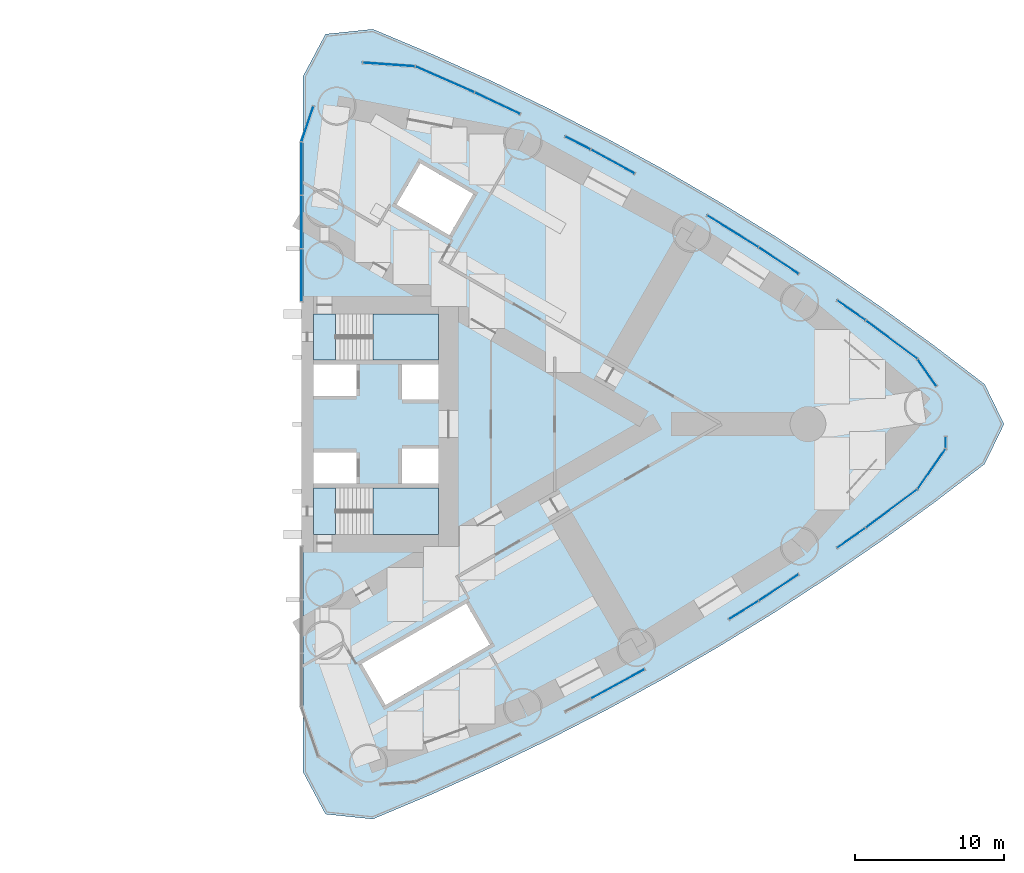
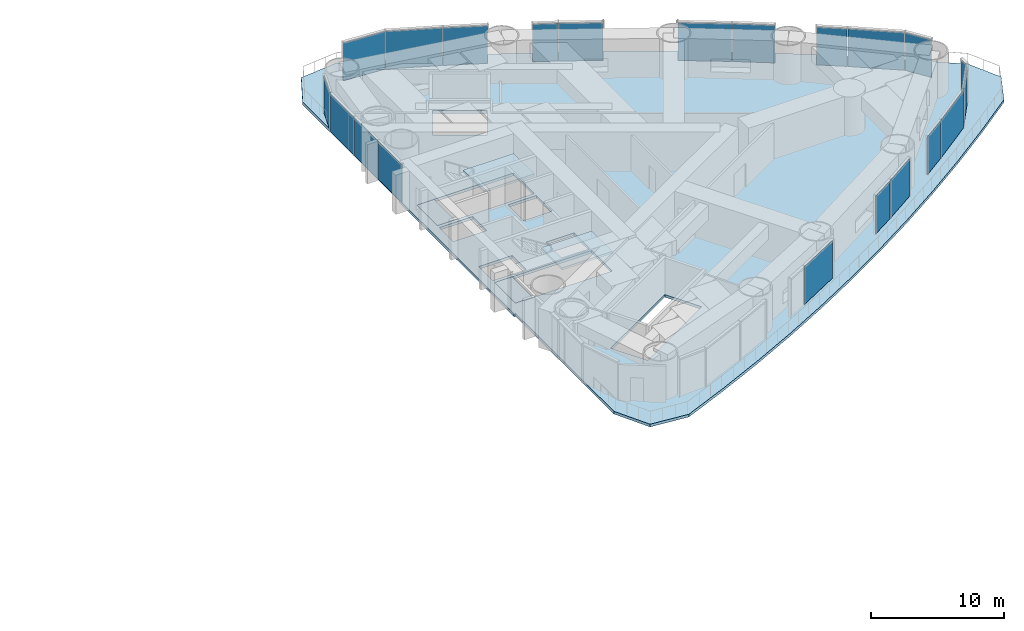
# One storey, part 12 of 19: 21 plates, 5 slabs, 10 elements without a shape of their own.
"""IFC4 building model written with IfcOpenShell, lengths in metres."""

import ifcopenshell
import ifcopenshell.guid

model = None  # the IFC model being written
_history = None  # IfcOwnerHistory: only IFC2X3 demands one
_inside = {}  # id of a spatial element -> (the spatial element, [elements in it])
_under = {}  # id of a project, library or spatial element -> (it, [spatial elements below it])
_declared = {}  # id of a project -> (the project, [libraries it declares])
_typed = {}  # id of a type object -> (the type object, [elements of that type])
_made_of = {}  # id of a material, layer set ... -> (it, [elements and type objects made of it])


def new_model(schema):
    """Start an empty IFC model of exactly this schema.

    Asked for "IFC4X3", IfcOpenShell would pick the latest addendum, in which some entities
    have other attributes; the version numbers below select the first issue.
    IFC2X3 requires an IfcOwnerHistory on every rooted entity: one is made here for all.
    """
    global model, _history
    if schema == "IFC4X3":
        model = ifcopenshell.file(schema_version=(4, 3, 0, 0))
    else:
        model = ifcopenshell.file(schema=schema)
    _inside.clear()
    _under.clear()
    _declared.clear()
    _typed.clear()
    _made_of.clear()
    _history = None
    if model.schema == "IFC2X3":
        org = make("IfcOrganization", Name="unknown")
        user = make(
            "IfcPersonAndOrganization",
            ThePerson=make("IfcPerson", FamilyName="unknown"),
            TheOrganization=org,
        )
        app = make(
            "IfcApplication",
            ApplicationDeveloper=org,
            Version="unknown",
            ApplicationFullName="unknown",
            ApplicationIdentifier="unknown",
        )
        _history = make(
            "IfcOwnerHistory",
            OwningUser=user,
            OwningApplication=app,
            ChangeAction="ADDED",
            CreationDate=0,
        )
    return model


def make(cls, **values):
    """One entity of the class cls with the attributes given. An attribute that is None is left unset."""
    return model.create_entity(
        cls, **{name: value for name, value in values.items() if value is not None}
    )


def rooted(cls, **values):
    """An entity with a GlobalId (a new one), such as an element, a storey or a relation."""
    return make(cls, GlobalId=ifcopenshell.guid.new(), OwnerHistory=_history, **values)


def si_unit(unit_type, name, prefix=None):
    """IfcSIUnit, for example si_unit("LENGTHUNIT", "METRE", prefix="MILLI")."""
    return make("IfcSIUnit", UnitType=unit_type, Prefix=prefix, Name=name)


def assignment(units):
    """IfcUnitAssignment: the units of a project."""
    return None if units is None else make("IfcUnitAssignment", Units=units)


def point(xyz):
    """IfcCartesianPoint."""
    return None if xyz is None else make("IfcCartesianPoint", Coordinates=xyz)


def direction(xyz):
    """IfcDirection."""
    return None if xyz is None else make("IfcDirection", DirectionRatios=xyz)


def frame(location, z_axis=None, x_axis=None):
    """IfcAxis2Placement3D, a coordinate frame: its origin and axes. An axis left out is left unset."""
    return make(
        "IfcAxis2Placement3D",
        Location=point(location),
        Axis=direction(z_axis),
        RefDirection=direction(x_axis),
    )


def frame_2d(location, x_axis=None):
    """IfcAxis2Placement2D, a coordinate frame in the plane: its origin and x axis."""
    return make(
        "IfcAxis2Placement2D", Location=point(location), RefDirection=direction(x_axis)
    )


def origin():
    """The frame at (0, 0, 0) with its axes left unset."""
    return frame((0.0, 0.0, 0.0))


def origin_2d():
    """The frame at (0, 0) in the plane with its x axis left unset."""
    return frame_2d((0.0, 0.0))


def place(relative_to, where):
    """IfcLocalPlacement: puts the frame where relative to a parent placement (None: the world)."""
    return make(
        "IfcLocalPlacement", PlacementRelTo=relative_to, RelativePlacement=where
    )


def context(
    kind, dimensions, precision=None, world=None, true_north=None, identifier=None
):
    """IfcGeometricRepresentationContext, for example the 3D "Model" context."""
    return make(
        "IfcGeometricRepresentationContext",
        ContextIdentifier=identifier,
        ContextType=kind,
        CoordinateSpaceDimension=dimensions,
        Precision=precision,
        WorldCoordinateSystem=world,
        TrueNorth=true_north,
    )


def subcontext(parent, identifier, kind, view, scale=None):
    """IfcGeometricRepresentationSubContext, for example "Body" below "Model"."""
    return make(
        "IfcGeometricRepresentationSubContext",
        ContextIdentifier=identifier,
        ContextType=kind,
        ParentContext=parent,
        TargetScale=scale,
        TargetView=view,
    )


def project(units=None, contexts=None):
    """IfcProject with its units and contexts."""
    return rooted(
        "IfcProject",
        Name="project",
        RepresentationContexts=contexts,
        UnitsInContext=assignment(units),
    )


def spatial(cls, under=None, at=None, **own):
    """A site, building, storey or space (cls), placed at a placement, below another one or the project."""
    s = rooted(cls, ObjectPlacement=at, **own)
    if under is not None:
        _under.setdefault(under.id(), (under, []))[1].append(s)
    return s


def polyline(points):
    """IfcPolyline through the points."""
    return make("IfcPolyline", Points=[point(p) for p in points])


def profile(cls, at=None, kind="AREA", **sizes):
    """A parametric profile (cls). Its sizes go by their IFC names, for example OverallWidth=200.0."""
    return make(cls, ProfileType=kind, Position=at, **sizes)


def rectangle(**sizes):
    """IfcRectangleProfileDef."""
    return profile("IfcRectangleProfileDef", **sizes)


def outline(outer, holes=None, kind="AREA"):
    """IfcArbitraryClosedProfileDef: a profile drawn as a closed curve; with holes, ...WithVoids."""
    if holes is None:
        return make("IfcArbitraryClosedProfileDef", ProfileType=kind, OuterCurve=outer)
    return make(
        "IfcArbitraryProfileDefWithVoids",
        ProfileType=kind,
        OuterCurve=outer,
        InnerCurves=holes,
    )


def extrude(swept, where, along, depth):
    """IfcExtrudedAreaSolid: the profile swept, set in the frame where, extruded along a direction by depth."""
    return make(
        "IfcExtrudedAreaSolid",
        SweptArea=swept,
        Position=where,
        ExtrudedDirection=direction(along),
        Depth=depth,
    )


def shape(context_of_items, identifier, shape_type, items):
    """IfcShapeRepresentation: the items that make up one representation, for example the "Body"."""
    return make(
        "IfcShapeRepresentation",
        ContextOfItems=context_of_items,
        RepresentationIdentifier=identifier,
        RepresentationType=shape_type,
        Items=items,
    )


def material(Name=None, Category=None):
    """IfcMaterial."""
    return make("IfcMaterial", Name=Name, Category=Category)


def layer(
    of_material, thickness, ventilated=None, Name=None, Category=None, Priority=None
):
    """IfcMaterialLayer: one layer of a wall or slab, of a material (None: an air gap)."""
    return make(
        "IfcMaterialLayer",
        Material=of_material,
        LayerThickness=thickness,
        IsVentilated=ventilated,
        Name=Name,
        Category=Category,
        Priority=Priority,
    )


def layer_set(layers, Name=None):
    """IfcMaterialLayerSet."""
    return make("IfcMaterialLayerSet", MaterialLayers=layers, LayerSetName=Name)


def made_of(thing, what):
    """Note that an element or type object is made of a material, layer set ...; save() writes the relation."""
    if what is not None:
        _made_of.setdefault(what.id(), (what, []))[1].append(thing)
    return thing


def type_object(cls, material=None, **own):
    """A type object (cls), such as IfcWallType, which elements share."""
    return made_of(rooted(cls, **own), material)


def element(
    cls,
    number,
    at=None,
    inside=None,
    cuts=None,
    type_object=None,
    material=None,
    context=None,
    identifier="Body",
    shape_type=None,
    held_by="IfcProductDefinitionShape",
    body=None,
    shapes=None,
    **own,
):
    """One element of the class cls, such as IfcWall. Its Tag is "e" and its number.

    at: its placement. inside: the storey or other place that contains it. cuts: it is an
    opening in that element (IfcRelVoidsElement). A single representation is given by context,
    identifier, shape_type and body (its items); several are given by shapes. held_by: the class
    of the entity that holds the representations. save() writes the other relations.
    """
    e = rooted(cls, Tag="e%d" % number, ObjectPlacement=at, **own)
    if body is not None:
        shapes = [shape(context, identifier, shape_type, body)]
    if shapes is not None:
        e.Representation = make(held_by, Representations=shapes)
    if inside is not None:
        _inside.setdefault(inside.id(), (inside, []))[1].append(e)
    if cuts is not None:
        rooted(
            "IfcRelVoidsElement", RelatingBuildingElement=cuts, RelatedOpeningElement=e
        )
    if type_object is not None:
        _typed.setdefault(type_object.id(), (type_object, []))[1].append(e)
    return made_of(e, material)


def aggregate(whole, parts):
    """IfcRelAggregates: a whole, such as a stair, and the parts it consists of."""
    return rooted("IfcRelAggregates", RelatingObject=whole, RelatedObjects=parts)


def save(model, path):
    """Write the relations noted so far, then the file.

    IfcRelAggregates (storeys below a building ...), IfcRelContainedInSpatialStructure (elements
    in a storey), IfcRelDefinesByType, IfcRelAssociatesMaterial and IfcRelDeclares: one each for
    every whole, place, type object, material and project.
    """
    for whole, parts in _under.values():
        aggregate(whole, parts)
    for where, things in _inside.values():
        rooted(
            "IfcRelContainedInSpatialStructure",
            RelatedElements=things,
            RelatingStructure=where,
        )
    for kind, things in _typed.values():
        rooted("IfcRelDefinesByType", RelatedObjects=things, RelatingType=kind)
    for what, things in _made_of.values():
        rooted("IfcRelAssociatesMaterial", RelatedObjects=things, RelatingMaterial=what)
    for by, libraries in _declared.values():
        rooted("IfcRelDeclares", RelatingContext=by, RelatedDefinitions=libraries)
    model.write(path)


model = new_model("IFC4")

# Units and contexts
model_context = context("Model", 3, precision=1e-05, world=origin(), true_north=direction((0.0, 1.0)))
body_context = subcontext(model_context, "Body", "Model", "MODEL_VIEW")
ifc_project = project(units=[si_unit("LENGTHUNIT", "METRE"), si_unit("AREAUNIT", "SQUARE_METRE"), si_unit("VOLUMEUNIT", "CUBIC_METRE"), si_unit("PLANEANGLEUNIT", "RADIAN"), si_unit("MASSUNIT", "GRAM", prefix="KILO")], contexts=[model_context])

# Site, building, storey
site_placement = place(None, origin())
site = spatial("IfcSite", under=ifc_project, at=site_placement, CompositionType="ELEMENT")
building_placement = place(site_placement, origin())
building = spatial("IfcBuilding", under=site, at=building_placement, Name="Lancet Gate Hotel", CompositionType="ELEMENT")
storey_placement = place(building_placement, frame((0.0, 0.0, 87.0)))
storey = spatial("IfcBuildingStorey", under=building, at=storey_placement, Name="L22", CompositionType="ELEMENT", Elevation=87.0)

# Slab
ifc_material_1 = material(Name="Concrete C50/60", Category="concrete")
ifc_layer_1 = layer(ifc_material_1, 0.25)
ifc_layer_set_1 = layer_set([ifc_layer_1], Name="Floor slab 250")
slab_type_1 = type_object("IfcSlabType", Name="Floor slab 250", PredefinedType="FLOOR", material=ifc_layer_set_1)
slab_1_placement = place(storey_placement, frame((0.0, 0.0, -0.25)))
element("IfcSlab", 1, at=slab_1_placement, inside=storey, type_object=slab_type_1, Name="T2 L22 floor slab", PredefinedType="FLOOR", context=body_context, shape_type="SweptSolid", body=[
    extrude(outline(polyline([(27.5, -8.199951171875), (27.5, -8.60009765625), (27.6201171875, -8.60009765625), (27.6201171875, -18.923095703125), (27.6201171875, -23.35498046875), (29.12158203125, -26.175537109375), (32.299072265625, -26.5048828125), (36.26708984375, -24.833740234375), (40.2177734375, -23.050048828125), (44.121826171875, -21.16650390625), (47.9765625, -19.18408203125), (51.77978515625, -17.104248046875), (55.528564453125, -14.92822265625), (59.220947265625, -12.657470703125), (62.854248046875, -10.29345703125), (66.42626953125, -7.837890625), (69.934814453125, -5.292236328125), (73.355712890625, -2.67431640625), (74.65576171875, 0.0), (73.355712890625, 2.67431640625), (69.934814453125, 5.292236328125), (66.42626953125, 7.837890625), (62.854248046875, 10.29345703125), (59.220947265625, 12.657470703125), (55.528564453125, 14.92822265625), (51.77978515625, 17.104248046875), (47.9765625, 19.18408203125), (44.121826171875, 21.16650390625), (40.2177734375, 23.050048828125), (36.26708984375, 24.833740234375), (32.299072265625, 26.5048828125), (29.12158203125, 26.175537109375), (27.6201171875, 23.35498046875), (27.6201171875, 18.923095703125), (27.6201171875, 8.60009765625), (27.5, 8.60009765625), (27.5, 8.199951171875), (27.5, -8.199951171875)]), holes=[polyline([(36.699951171875, -4.300048828125), (28.300048828125, -4.300048828125), (28.300048828125, -7.39990234375), (36.699951171875, -7.39990234375), (36.699951171875, -4.300048828125)]), polyline([(31.199951171875, -4.0), (31.199951171875, -1.89990234375), (28.300048828125, -1.89990234375), (28.300048828125, -4.0), (31.199951171875, -4.0)]), polyline([(36.699951171875, -4.0), (36.699951171875, -1.64990234375), (34.25, -1.64990234375), (34.25, -4.0), (36.699951171875, -4.0)]), polyline([(36.699951171875, 4.0), (34.25, 4.0), (34.25, 1.64990234375), (36.699951171875, 1.64990234375), (36.699951171875, 4.0)]), polyline([(31.199951171875, 1.89990234375), (31.199951171875, 4.0), (28.300048828125, 4.0), (28.300048828125, 1.89990234375), (31.199951171875, 1.89990234375)]), polyline([(36.699951171875, 4.300048828125), (36.699951171875, 7.39990234375), (28.300048828125, 7.39990234375), (28.300048828125, 4.300048828125), (36.699951171875, 4.300048828125)]), polyline([(31.549072265625, -16.0810546875), (33.14892578125, -18.85205078125), (40.1640625, -14.802001953125), (38.56396484375, -12.031005859375), (31.549072265625, -16.0810546875)]), polyline([(33.887939453125, 14.73095703125), (37.43798828125, 12.680908203125), (39.0380859375, 15.451904296875), (35.488037109375, 17.501953125), (33.887939453125, 14.73095703125)])]), origin(), (0.0, 0.0, 1.0), 0.25),
])

# Stair, slabs
ifc_material_2 = material(Name="Exit stair 20 risers 1500")
stair_type = type_object("IfcStairType", Name="Exit stair 20 risers 1500", PredefinedType="HALF_TURN_STAIR", material=ifc_material_2)
stair_1_placement = place(storey_placement, origin())
stair_1 = element("IfcStair", 2, at=stair_1_placement, inside=storey, type_object=stair_type, Name="T2 stair 1 L22", PredefinedType="HALF_TURN_STAIR")
ifc_material_3 = material(Name="Concrete C40/50", Category="concrete")
ifc_layer_2 = layer(ifc_material_3, 0.199951171875)
ifc_layer_set_2 = layer_set([ifc_layer_2], Name="Stair landing 200")
slab_type_2 = type_object("IfcSlabType", Name="Stair landing 200", PredefinedType="LANDING", material=ifc_layer_set_2)
slab_2_placement = place(storey_placement, frame((0.0, 0.0, -0.199951171875)))
slab_2 = element("IfcSlab", 3, at=slab_2_placement, type_object=slab_type_2, Name="ST3 landing 1", PredefinedType="LANDING", context=body_context, shape_type="SweptSolid", body=[
    extrude(outline(polyline([(28.300048828125, -7.39990234375), (29.800048828125, -7.39990234375), (29.800048828125, -4.300048828125), (28.300048828125, -4.300048828125), (28.300048828125, -7.39990234375)])), origin(), (0.0, 0.0, 1.0), 0.199951171875),
])
slab_3_placement = place(storey_placement, frame((0.0, 0.0, 1.60009765625)))
slab_3 = element("IfcSlab", 4, at=slab_3_placement, type_object=slab_type_2, Name="ST3 landing 2", PredefinedType="LANDING", context=body_context, shape_type="SweptSolid", body=[
    extrude(outline(polyline([(32.320068359375, -7.39990234375), (36.699951171875, -7.39990234375), (36.699951171875, -4.300048828125), (32.320068359375, -4.300048828125), (32.320068359375, -7.39990234375)])), origin(), (0.0, 0.0, 1.0), 0.199951171875),
])
aggregate(stair_1, [slab_2, slab_3])

stair_2_placement = place(storey_placement, origin())
stair_2 = element("IfcStair", 5, at=stair_2_placement, inside=storey, type_object=stair_type, Name="T2 stair 2 L22", PredefinedType="HALF_TURN_STAIR")
slab_4_placement = place(storey_placement, frame((0.0, 0.0, -0.199951171875)))
slab_4 = element("IfcSlab", 6, at=slab_4_placement, type_object=slab_type_2, Name="ST4 landing 1", PredefinedType="LANDING", context=body_context, shape_type="SweptSolid", body=[
    extrude(outline(polyline([(28.300048828125, 4.300048828125), (29.800048828125, 4.300048828125), (29.800048828125, 7.39990234375), (28.300048828125, 7.39990234375), (28.300048828125, 4.300048828125)])), origin(), (0.0, 0.0, 1.0), 0.199951171875),
])
slab_5_placement = place(storey_placement, frame((0.0, 0.0, 1.60009765625)))
slab_5 = element("IfcSlab", 7, at=slab_5_placement, type_object=slab_type_2, Name="ST4 landing 2", PredefinedType="LANDING", context=body_context, shape_type="SweptSolid", body=[
    extrude(outline(polyline([(32.320068359375, 4.300048828125), (36.699951171875, 4.300048828125), (36.699951171875, 7.39990234375), (32.320068359375, 7.39990234375), (32.320068359375, 4.300048828125)])), origin(), (0.0, 0.0, 1.0), 0.199951171875),
])
aggregate(stair_2, [slab_4, slab_5])

# Curtain wall, plate
ifc_material_4 = material(Name="Aluminium curtain wall", Category="aluminium")
curtain_wall_type = type_object("IfcCurtainWallType", Name="Tower unitised curtain wall", PredefinedType="USERDEFINED", material=ifc_material_4)
curtain_wall_1_placement = place(storey_placement, origin())
curtain_wall_1 = element("IfcCurtainWall", 8, at=curtain_wall_1_placement, inside=storey, type_object=curtain_wall_type, Name="T2 L22 curtain wall 3", ObjectType="UNITISED CURTAIN WALL", PredefinedType="USERDEFINED")
ifc_material_5 = material(Name="Glass double glazed unit 8-16-6", Category="glass")
ifc_layer_3 = layer(ifc_material_5, 0.030029296875)
ifc_layer_set_3 = layer_set([ifc_layer_3], Name="Vision panel double glazed")
plate_type = type_object("IfcPlateType", Name="Vision panel double glazed", PredefinedType="CURTAIN_PANEL", material=ifc_layer_set_3)
plate_1_placement = place(storey_placement, frame((48.742919921875, -17.433837890625, 0.0), z_axis=(0.0, 0.0, 1.0), x_axis=(0.877916491224, 0.478813778454, 0.0)))
plate_1 = element("IfcPlate", 9, at=plate_1_placement, type_object=plate_type, Name="T2 L22 curtain wall 3 panel 2", PredefinedType="CURTAIN_PANEL", context=body_context, shape_type="SweptSolid", body=[
    extrude(rectangle(XDim=4.078857421875, YDim=0.030029296875, at=origin_2d()), origin(), (0.0, 0.0, 1.0), 3.449951171875),
])
aggregate(curtain_wall_1, [plate_1])

# Curtain wall, plates
curtain_wall_2_placement = place(storey_placement, origin())
curtain_wall_2 = element("IfcCurtainWall", 10, at=curtain_wall_2_placement, inside=storey, type_object=curtain_wall_type, Name="T2 L22 curtain wall 4", ObjectType="UNITISED CURTAIN WALL", PredefinedType="USERDEFINED")
plate_2_placement = place(storey_placement, frame((57.1826171875, -12.485595703125, 0.0), z_axis=(0.0, 0.0, 1.0), x_axis=(0.849317759497, 0.527881940781, 0.0)))
plate_2 = element("IfcPlate", 11, at=plate_2_placement, type_object=plate_type, Name="T2 L22 curtain wall 4 panel 1", PredefinedType="CURTAIN_PANEL", context=body_context, shape_type="SweptSolid", body=[
    extrude(rectangle(XDim=2.303955078125, YDim=0.030029296875, at=origin_2d()), origin(), (0.0, 0.0, 1.0), 3.449951171875),
])
plate_3_placement = place(storey_placement, frame((59.541015625, -10.9658203125, 0.0), z_axis=(0.0, 0.0, 1.0), x_axis=(0.83398495346, 0.551787184885, 0.0)))
plate_3 = element("IfcPlate", 12, at=plate_3_placement, type_object=plate_type, Name="T2 L22 curtain wall 4 panel 2", PredefinedType="CURTAIN_PANEL", context=body_context, shape_type="SweptSolid", body=[
    extrude(rectangle(XDim=3.177734375, YDim=0.030029296875, at=origin_2d()), origin(), (0.0, 0.0, 1.0), 3.449951171875),
])
aggregate(curtain_wall_2, [plate_2, plate_3])

curtain_wall_3_placement = place(storey_placement, origin())
curtain_wall_3 = element("IfcCurtainWall", 13, at=curtain_wall_3_placement, inside=storey, type_object=curtain_wall_type, Name="T2 L22 curtain wall 5", ObjectType="UNITISED CURTAIN WALL", PredefinedType="USERDEFINED")
plate_4_placement = place(storey_placement, frame((64.404541015625, -7.639892578125, 0.0), z_axis=(0.0, 0.0, 1.0), x_axis=(0.817979492167, 0.57524738191, 0.0)))
plate_4 = element("IfcPlate", 14, at=plate_4_placement, type_object=plate_type, Name="T2 L22 curtain wall 5 panel 1", PredefinedType="CURTAIN_PANEL", context=body_context, shape_type="SweptSolid", body=[
    extrude(rectangle(XDim=2.296142578125, YDim=0.030029296875, at=origin_2d()), origin(), (0.0, 0.0, 1.0), 3.449951171875),
])
plate_5_placement = place(storey_placement, frame((67.112060546875, -5.660400390625, 0.0), z_axis=(0.0, 0.0, 1.0), x_axis=(0.801314284905, 0.598243609917, 0.0)))
plate_5 = element("IfcPlate", 15, at=plate_5_placement, type_object=plate_type, Name="T2 L22 curtain wall 5 panel 2", PredefinedType="CURTAIN_PANEL", context=body_context, shape_type="SweptSolid", body=[
    extrude(rectangle(XDim=4.2822265625, YDim=0.030029296875, at=origin_2d()), origin(), (0.0, 0.0, 1.0), 3.449951171875),
])
plate_6_placement = place(storey_placement, frame((69.800537109375, -3.006103515625, 0.0), z_axis=(0.0, 0.0, 1.0), x_axis=(0.573025075425, 0.819537834962, 0.0)))
plate_6 = element("IfcPlate", 16, at=plate_6_placement, type_object=plate_type, Name="T2 L22 curtain wall 5 panel 3", PredefinedType="CURTAIN_PANEL", context=body_context, shape_type="SweptSolid", body=[
    extrude(rectangle(XDim=3.2392578125, YDim=0.030029296875, at=origin_2d()), origin(), (0.0, 0.0, 1.0), 3.449951171875),
])
plate_7_placement = place(storey_placement, frame((70.747314453125, -1.229736328125, 0.0), z_axis=(0.0, 0.0, 1.0), x_axis=(0.0, 1.0, 0.0)))
plate_7 = element("IfcPlate", 17, at=plate_7_placement, type_object=plate_type, Name="T2 L22 curtain wall 5 panel 4", PredefinedType="CURTAIN_PANEL", context=body_context, shape_type="SweptSolid", body=[
    extrude(rectangle(XDim=0.77978515625, YDim=0.030029296875, at=origin_2d()), origin(), (0.0, 0.0, 1.0), 3.449951171875),
])
aggregate(curtain_wall_3, [plate_4, plate_5, plate_6, plate_7])

curtain_wall_4_placement = place(storey_placement, origin())
curtain_wall_4 = element("IfcCurtainWall", 18, at=curtain_wall_4_placement, inside=storey, type_object=curtain_wall_type, Name="T2 L22 curtain wall 6", ObjectType="UNITISED CURTAIN WALL", PredefinedType="USERDEFINED")
plate_8_placement = place(storey_placement, frame((69.4921875, 3.447265625, 0.0), z_axis=(0.0, 0.0, 1.0), x_axis=(-0.573025075425, 0.819537834962, 0.0)))
plate_8 = element("IfcPlate", 19, at=plate_8_placement, type_object=plate_type, Name="T2 L22 curtain wall 6 panel 1", PredefinedType="CURTAIN_PANEL", context=body_context, shape_type="SweptSolid", body=[
    extrude(rectangle(XDim=2.16259765625, YDim=0.030029296875, at=origin_2d()), origin(), (0.0, 0.0, 1.0), 3.449951171875),
])
plate_9_placement = place(storey_placement, frame((67.112060546875, 5.660400390625, 0.0), z_axis=(0.0, 0.0, 1.0), x_axis=(-0.801314284905, 0.598243609917, 0.0)))
plate_9 = element("IfcPlate", 20, at=plate_9_placement, type_object=plate_type, Name="T2 L22 curtain wall 6 panel 2", PredefinedType="CURTAIN_PANEL", context=body_context, shape_type="SweptSolid", body=[
    extrude(rectangle(XDim=4.2822265625, YDim=0.030029296875, at=origin_2d()), origin(), (0.0, 0.0, 1.0), 3.449951171875),
])
plate_10_placement = place(storey_placement, frame((64.404541015625, 7.639892578125, 0.0), z_axis=(0.0, 0.0, 1.0), x_axis=(-0.817979492167, 0.57524738191, 0.0)))
plate_10 = element("IfcPlate", 21, at=plate_10_placement, type_object=plate_type, Name="T2 L22 curtain wall 6 panel 3", PredefinedType="CURTAIN_PANEL", context=body_context, shape_type="SweptSolid", body=[
    extrude(rectangle(XDim=2.296142578125, YDim=0.030029296875, at=origin_2d()), origin(), (0.0, 0.0, 1.0), 3.449951171875),
])
aggregate(curtain_wall_4, [plate_8, plate_9, plate_10])

curtain_wall_5_placement = place(storey_placement, origin())
curtain_wall_5 = element("IfcCurtainWall", 22, at=curtain_wall_5_placement, inside=storey, type_object=curtain_wall_type, Name="T2 L22 curtain wall 7", ObjectType="UNITISED CURTAIN WALL", PredefinedType="USERDEFINED")
plate_11_placement = place(storey_placement, frame((59.541015625, 10.9658203125, 0.0), z_axis=(0.0, 0.0, 1.0), x_axis=(-0.83398495346, 0.551787184885, 0.0)))
plate_11 = element("IfcPlate", 23, at=plate_11_placement, type_object=plate_type, Name="T2 L22 curtain wall 7 panel 1", PredefinedType="CURTAIN_PANEL", context=body_context, shape_type="SweptSolid", body=[
    extrude(rectangle(XDim=3.177734375, YDim=0.030029296875, at=origin_2d()), origin(), (0.0, 0.0, 1.0), 3.449951171875),
])
plate_12_placement = place(storey_placement, frame((56.450927734375, 12.9404296875, 0.0), z_axis=(0.0, 0.0, 1.0), x_axis=(-0.849317759497, 0.527881940781, 0.0)))
plate_12 = element("IfcPlate", 24, at=plate_12_placement, type_object=plate_type, Name="T2 L22 curtain wall 7 panel 2", PredefinedType="CURTAIN_PANEL", context=body_context, shape_type="SweptSolid", body=[
    extrude(rectangle(XDim=4.02734375, YDim=0.030029296875, at=origin_2d()), origin(), (0.0, 0.0, 1.0), 3.449951171875),
])
aggregate(curtain_wall_5, [plate_11, plate_12])

curtain_wall_6_placement = place(storey_placement, origin())
curtain_wall_6 = element("IfcCurtainWall", 25, at=curtain_wall_6_placement, inside=storey, type_object=curtain_wall_type, Name="T2 L22 curtain wall 8", ObjectType="UNITISED CURTAIN WALL", PredefinedType="USERDEFINED")
plate_13_placement = place(storey_placement, frame((48.407470703125, 17.616943359375, 0.0), z_axis=(0.0, 0.0, 1.0), x_axis=(-0.877916491224, 0.478813778454, 0.0)))
plate_13 = element("IfcPlate", 26, at=plate_13_placement, type_object=plate_type, Name="T2 L22 curtain wall 8 panel 1", PredefinedType="CURTAIN_PANEL", context=body_context, shape_type="SweptSolid", body=[
    extrude(rectangle(XDim=3.314453125, YDim=0.030029296875, at=origin_2d()), origin(), (0.0, 0.0, 1.0), 3.449951171875),
])
plate_14_placement = place(storey_placement, frame((46.053466796875, 18.869140625, 0.0), z_axis=(0.0, 0.0, 1.0), x_axis=(-0.891159350462, 0.453690436403, 0.0)))
plate_14 = element("IfcPlate", 27, at=plate_14_placement, type_object=plate_type, Name="T2 L22 curtain wall 8 panel 2", PredefinedType="CURTAIN_PANEL", context=body_context, shape_type="SweptSolid", body=[
    extrude(rectangle(XDim=1.888427734375, YDim=0.030029296875, at=origin_2d()), origin(), (0.0, 0.0, 1.0), 3.449951171875),
])
aggregate(curtain_wall_6, [plate_13, plate_14])

curtain_wall_7_placement = place(storey_placement, origin())
curtain_wall_7 = element("IfcCurtainWall", 28, at=curtain_wall_7_placement, inside=storey, type_object=curtain_wall_type, Name="T2 L22 curtain wall 9", ObjectType="UNITISED CURTAIN WALL", PredefinedType="USERDEFINED")
plate_15_placement = place(storey_placement, frame((40.66455078125, 21.528564453125, 0.0), z_axis=(0.0, 0.0, 1.0), x_axis=(-0.903683440096, 0.428201167789, 0.0)))
plate_15 = element("IfcPlate", 29, at=plate_15_placement, type_object=plate_type, Name="T2 L22 curtain wall 9 panel 1", PredefinedType="CURTAIN_PANEL", context=body_context, shape_type="SweptSolid", body=[
    extrude(rectangle(XDim=3.350830078125, YDim=0.030029296875, at=origin_2d()), origin(), (0.0, 0.0, 1.0), 3.449951171875),
])
plate_16_placement = place(storey_placement, frame((37.13134765625, 23.13427734375, 0.0), z_axis=(0.0, 0.0, 1.0), x_axis=(-0.915478658759, 0.40236653111, 0.0)))
plate_16 = element("IfcPlate", 30, at=plate_16_placement, type_object=plate_type, Name="T2 L22 curtain wall 9 panel 2", PredefinedType="CURTAIN_PANEL", context=body_context, shape_type="SweptSolid", body=[
    extrude(rectangle(XDim=4.2822265625, YDim=0.030029296875, at=origin_2d()), origin(), (0.0, 0.0, 1.0), 3.449951171875),
])
plate_17_placement = place(storey_placement, frame((33.37158203125, 24.1357421875, 0.0), z_axis=(0.0, 0.0, 1.0), x_axis=(-0.997448492935, 0.07138980278, 0.0)))
plate_17 = element("IfcPlate", 31, at=plate_17_placement, type_object=plate_type, Name="T2 L22 curtain wall 9 panel 3", PredefinedType="CURTAIN_PANEL", context=body_context, shape_type="SweptSolid", body=[
    extrude(rectangle(XDim=3.4833984375, YDim=0.030029296875, at=origin_2d()), origin(), (0.0, 0.0, 1.0), 3.449951171875),
])
aggregate(curtain_wall_7, [plate_15, plate_16, plate_17])

curtain_wall_8_placement = place(storey_placement, origin())
curtain_wall_8 = element("IfcCurtainWall", 32, at=curtain_wall_8_placement, inside=storey, type_object=curtain_wall_type, Name="T2 L22 curtain wall 10", ObjectType="UNITISED CURTAIN WALL", PredefinedType="USERDEFINED")
plate_18_placement = place(storey_placement, frame((27.91162109375, 20.150634765625, 0.0), z_axis=(0.0, 0.0, 1.0), x_axis=(-0.32257568891, -0.946543673015, 0.0)))
plate_18 = element("IfcPlate", 33, at=plate_18_placement, type_object=plate_type, Name="T2 L22 curtain wall 10 panel 1", PredefinedType="CURTAIN_PANEL", context=body_context, shape_type="SweptSolid", body=[
    extrude(rectangle(XDim=2.486572265625, YDim=0.030029296875, at=origin_2d()), origin(), (0.0, 0.0, 1.0), 3.449951171875),
])
plate_19_placement = place(storey_placement, frame((27.5, 17.15234375, 0.0), z_axis=(0.0, 0.0, 1.0), x_axis=(0.0, -1.0, 0.0)))
plate_19 = element("IfcPlate", 34, at=plate_19_placement, type_object=plate_type, Name="T2 L22 curtain wall 10 panel 2", PredefinedType="CURTAIN_PANEL", context=body_context, shape_type="SweptSolid", body=[
    extrude(rectangle(XDim=3.515869140625, YDim=0.030029296875, at=origin_2d()), origin(), (0.0, 0.0, 1.0), 3.449951171875),
])
plate_20_placement = place(storey_placement, frame((27.5, 13.571533203125, 0.0), z_axis=(0.0, 0.0, 1.0), x_axis=(0.0, -1.0, 0.0)))
plate_20 = element("IfcPlate", 35, at=plate_20_placement, type_object=plate_type, Name="T2 L22 curtain wall 10 panel 3", PredefinedType="CURTAIN_PANEL", context=body_context, shape_type="SweptSolid", body=[
    extrude(rectangle(XDim=3.515869140625, YDim=0.030029296875, at=origin_2d()), origin(), (0.0, 0.0, 1.0), 3.449951171875),
])
plate_21_placement = place(storey_placement, frame((27.5, 9.990478515625, 0.0), z_axis=(0.0, 0.0, 1.0), x_axis=(0.0, -1.0, 0.0)))
plate_21 = element("IfcPlate", 36, at=plate_21_placement, type_object=plate_type, Name="T2 L22 curtain wall 10 panel 4", PredefinedType="CURTAIN_PANEL", context=body_context, shape_type="SweptSolid", body=[
    extrude(rectangle(XDim=3.515869140625, YDim=0.030029296875, at=origin_2d()), origin(), (0.0, 0.0, 1.0), 3.449951171875),
])
aggregate(curtain_wall_8, [plate_18, plate_19, plate_20, plate_21])

save(model, "model.ifc")
